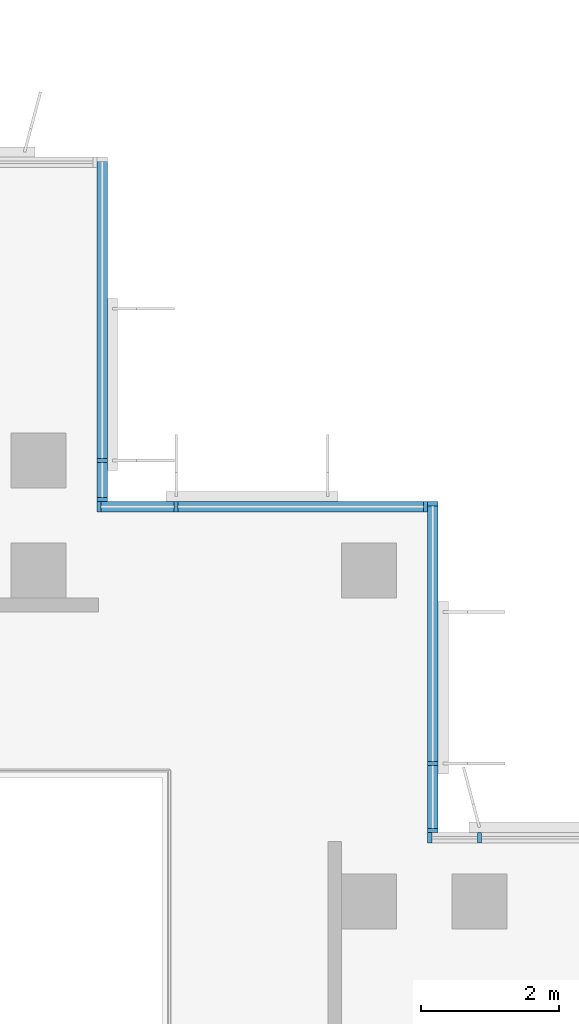
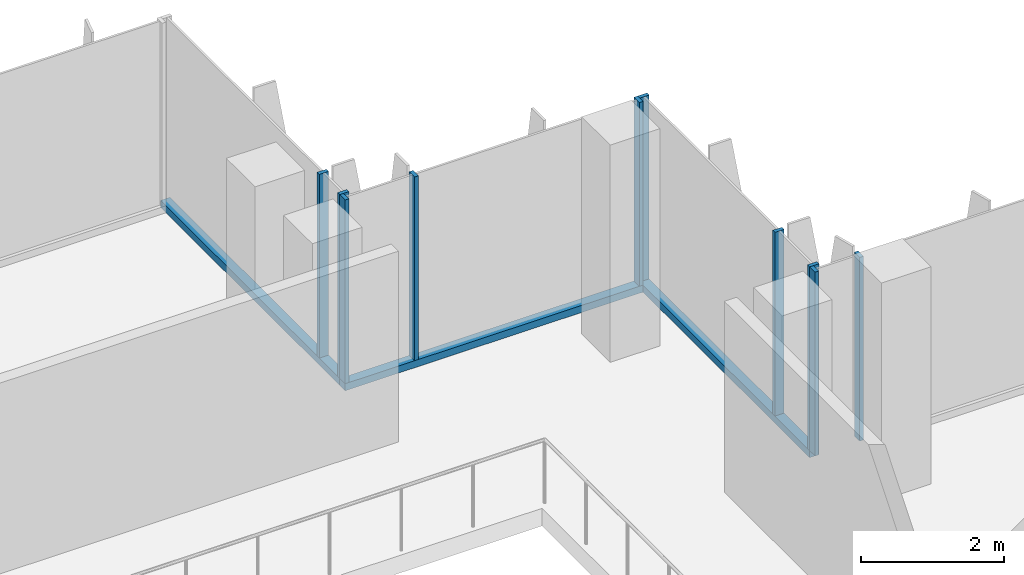
# One storey, part 2 of 13: 13 members, 4 elements without a shape of their own.
"""IFC4 building model written with IfcOpenShell, lengths in metres."""

from ifc_helpers import new_model, si_unit, direction, frame, origin, origin_2d, place, context, subcontext, project, spatial, rectangle, extrude, source, transform, mapped, material, material_profile, profile_set, type_object, element, aggregate, save


model = new_model("IFC4")

# Units and contexts
model_context = context("Model", 3, precision=1e-05, world=origin(), true_north=direction((0.0, 1.0)))
body_context = subcontext(model_context, "Body", "Model", "MODEL_VIEW")
ifc_project = project(units=[si_unit("LENGTHUNIT", "METRE"), si_unit("AREAUNIT", "SQUARE_METRE"), si_unit("VOLUMEUNIT", "CUBIC_METRE"), si_unit("PLANEANGLEUNIT", "RADIAN"), si_unit("MASSUNIT", "GRAM", prefix="KILO")], contexts=[model_context])

# Site, building, storey
site_placement = place(None, origin())
site = spatial("IfcSite", under=ifc_project, at=site_placement, CompositionType="ELEMENT")
building_placement = place(site_placement, origin())
building = spatial("IfcBuilding", under=site, at=building_placement, Name="Kemantara Hotel Tower", CompositionType="ELEMENT")
storey_placement = place(building_placement, frame((0.0, 0.0, 252.39990234375)))
storey = spatial("IfcBuildingStorey", under=building, at=storey_placement, Name="L63", CompositionType="ELEMENT", Elevation=252.39990234375)

# Curtain wall, member
ifc_material_1 = material(Name="Low-E tinted double insulated glass 36 mm", Category="glass")
curtain_wall_type = type_object("IfcCurtainWallType", Name="TOWER CURTAIN WALL, FRONT FACES", PredefinedType="USERDEFINED", material=ifc_material_1)
curtain_wall_1_placement = place(storey_placement, origin())
curtain_wall_1 = element("IfcCurtainWall", 1, at=curtain_wall_1_placement, inside=storey, type_object=curtain_wall_type, Name="CW4 L63 T4P-R00-1", ObjectType="TOWER CURTAIN WALL, FRONT FACES", PredefinedType="USERDEFINED")
ifc_material_2 = material(Name="Aluminium 6063-T6 bronze anodised", Category="aluminium")
ifc_material_profile_1 = material_profile(ifc_material_2, rectangle(XDim=0.14990234375, YDim=0.1201171875, at=origin_2d()), Name="TOWER CURTAIN WALL, FRONT FACES TRANSOM")
ifc_profile_set_1 = profile_set([ifc_material_profile_1], Name="Aluminium 6063-T6 bronze anodised")
member_type_1 = type_object("IfcMemberType", Name="TOWER CURTAIN WALL, FRONT FACES TRANSOM", PredefinedType="USERDEFINED", material=ifc_profile_set_1)
member_1_placement = place(storey_placement, frame((21.925048828125, 26.800048828125, 0.06005859375), z_axis=(0.0, 1.0, 0.0), x_axis=(-1.0, 0.0, 0.0)))
member_1 = element("IfcMember", 2, at=member_1_placement, type_object=member_type_1, Name="CW4 sill transom T4P-R00-1", ObjectType="TRANSOM", PredefinedType="USERDEFINED", context=body_context, shape_type="SweptSolid", body=[
    extrude(rectangle(XDim=0.14990234375, YDim=0.1201171875, at=origin_2d()), origin(), (0.0, 0.0, 1.0), 5.0),
])

curtain_wall_2_placement = place(storey_placement, origin())
curtain_wall_2 = element("IfcCurtainWall", 3, at=curtain_wall_2_placement, inside=storey, type_object=curtain_wall_type, Name="CW4 L63 T4P-R10-1", ObjectType="TOWER CURTAIN WALL, FRONT FACES", PredefinedType="USERDEFINED")
member_2_placement = place(storey_placement, frame((26.72509765625, 22.0, 0.06005859375), z_axis=(0.0, 1.0, 0.0), x_axis=(-1.0, 0.0, 0.0)))
member_2 = element("IfcMember", 4, at=member_2_placement, type_object=member_type_1, Name="CW4 sill transom T4P-R10-1", ObjectType="TRANSOM", PredefinedType="USERDEFINED", context=body_context, shape_type="SweptSolid", body=[
    extrude(rectangle(XDim=0.14990234375, YDim=0.1201171875, at=origin_2d()), origin(), (0.0, 0.0, 1.0), 4.800048828125),
])

curtain_wall_3_placement = place(storey_placement, origin())
curtain_wall_3 = element("IfcCurtainWall", 5, at=curtain_wall_3_placement, inside=storey, type_object=curtain_wall_type, Name="CW4 L63 T4P-R11-1", ObjectType="TOWER CURTAIN WALL, FRONT FACES", PredefinedType="USERDEFINED")
member_3_placement = place(storey_placement, frame((26.64990234375, 26.72509765625, 0.06005859375), z_axis=(-1.0, 0.0, 0.0), x_axis=(0.0, -1.0, 0.0)))
member_3 = element("IfcMember", 6, at=member_3_placement, type_object=member_type_1, Name="CW4 sill transom T4P-R11-1", ObjectType="TRANSOM", PredefinedType="USERDEFINED", context=body_context, shape_type="SweptSolid", body=[
    extrude(rectangle(XDim=0.14990234375, YDim=0.1201171875, at=origin_2d()), origin(), (0.0, 0.0, 1.0), 4.7998046875),
])

# Member
ifc_material_profile_2 = material_profile(ifc_material_2, rectangle(XDim=0.14990234375, YDim=0.06005859375, at=origin_2d()), Name="TOWER CURTAIN WALL, FRONT FACES MULLION")
ifc_profile_set_2 = profile_set([ifc_material_profile_2], Name="Aluminium 6063-T6 bronze anodised")
member_type_2 = type_object("IfcMemberType", Name="TOWER CURTAIN WALL, FRONT FACES MULLION", PredefinedType="MULLION", material=ifc_profile_set_2)
shared_shape = source(origin(), body_context, "Body", "SweptSolid", [
    extrude(rectangle(XDim=0.14990234375, YDim=0.06005859375, at=origin_2d()), origin(), (0.0, 0.0, 1.0), 3.1298828125),
])
member_4_placement = place(storey_placement, frame((21.925048828125, 26.830078125, 0.1201171875), z_axis=(0.0, 0.0, 1.0), x_axis=(-1.0, 0.0, 0.0)))
member_4 = element("IfcMember", 7, at=member_4_placement, type_object=member_type_2, Name="CW4 mullion T4P-R00-1.1", PredefinedType="MULLION", context=body_context, shape_type="MappedRepresentation", body=[
    mapped(shared_shape, transform((0.0, 0.0, 0.0))),
])

member_5_placement = place(storey_placement, frame((21.925048828125, 27.39990234375, 0.1201171875), z_axis=(0.0, 0.0, 1.0), x_axis=(-1.0, 0.0, 0.0)))
member_5 = element("IfcMember", 8, at=member_5_placement, type_object=member_type_2, Name="CW4 mullion T4P-R00-1.2", PredefinedType="MULLION", context=body_context, shape_type="MappedRepresentation", body=[
    mapped(shared_shape, transform((0.0, 0.0, 0.0))),
])

aggregate(curtain_wall_1, [member_1, member_4, member_5])

# Curtain wall, members
curtain_wall_4_placement = place(storey_placement, origin())
curtain_wall_4 = element("IfcCurtainWall", 9, at=curtain_wall_4_placement, inside=storey, type_object=curtain_wall_type, Name="CW4 L63 T4P-R09-1", ObjectType="TOWER CURTAIN WALL, FRONT FACES", PredefinedType="USERDEFINED")
member_6_placement = place(storey_placement, frame((27.39990234375, 21.925048828125, 0.1201171875), z_axis=(0.0, 0.0, 1.0), x_axis=(0.0, -1.0, 0.0)))
member_6 = element("IfcMember", 10, at=member_6_placement, type_object=member_type_2, Name="CW4 mullion T4P-R09-1.5", PredefinedType="MULLION", context=body_context, shape_type="MappedRepresentation", body=[
    mapped(shared_shape, transform((0.0, 0.0, 0.0))),
])
member_7_placement = place(storey_placement, frame((26.679931640625, 21.925048828125, 0.1201171875), z_axis=(0.0, 0.0, 1.0), x_axis=(0.0, -1.0, 0.0)))
member_7 = element("IfcMember", 11, at=member_7_placement, type_object=member_type_2, Name="CW4 mullion T4P-R09-1.6", PredefinedType="MULLION", context=body_context, shape_type="MappedRepresentation", body=[
    mapped(shared_shape, transform((0.0, 0.0, 0.0))),
])
aggregate(curtain_wall_4, [member_6, member_7])

# Member
member_8_placement = place(storey_placement, frame((26.72509765625, 22.030029296875, 0.1201171875), z_axis=(0.0, 0.0, 1.0), x_axis=(-1.0, 0.0, 0.0)))
member_8 = element("IfcMember", 12, at=member_8_placement, type_object=member_type_2, Name="CW4 mullion T4P-R10-1.1", PredefinedType="MULLION", context=body_context, shape_type="MappedRepresentation", body=[
    mapped(shared_shape, transform((0.0, 0.0, 0.0))),
])

member_9_placement = place(storey_placement, frame((26.72509765625, 23.0, 0.1201171875), z_axis=(0.0, 0.0, 1.0), x_axis=(-1.0, 0.0, 0.0)))
member_9 = element("IfcMember", 13, at=member_9_placement, type_object=member_type_2, Name="CW4 mullion T4P-R10-1.2", PredefinedType="MULLION", context=body_context, shape_type="MappedRepresentation", body=[
    mapped(shared_shape, transform((0.0, 0.0, 0.0))),
])

member_10_placement = place(storey_placement, frame((26.72509765625, 26.77001953125, 0.1201171875), z_axis=(0.0, 0.0, 1.0), x_axis=(-1.0, 0.0, 0.0)))
member_10 = element("IfcMember", 14, at=member_10_placement, type_object=member_type_2, Name="CW4 mullion T4P-R10-1.3", PredefinedType="MULLION", context=body_context, shape_type="MappedRepresentation", body=[
    mapped(shared_shape, transform((0.0, 0.0, 0.0))),
])

aggregate(curtain_wall_2, [member_2, member_8, member_9, member_10])

member_11_placement = place(storey_placement, frame((26.6201171875, 26.72509765625, 0.1201171875), z_axis=(0.0, 0.0, 1.0), x_axis=(0.0, -1.0, 0.0)))
member_11 = element("IfcMember", 15, at=member_11_placement, type_object=member_type_2, Name="CW4 mullion T4P-R11-1.1", PredefinedType="MULLION", context=body_context, shape_type="MappedRepresentation", body=[
    mapped(shared_shape, transform((0.0, 0.0, 0.0))),
])

member_12_placement = place(storey_placement, frame((23.0, 26.72509765625, 0.1201171875), z_axis=(0.0, 0.0, 1.0), x_axis=(0.0, -1.0, 0.0)))
member_12 = element("IfcMember", 16, at=member_12_placement, type_object=member_type_2, Name="CW4 mullion T4P-R11-1.2", PredefinedType="MULLION", context=body_context, shape_type="MappedRepresentation", body=[
    mapped(shared_shape, transform((0.0, 0.0, 0.0))),
])

member_13_placement = place(storey_placement, frame((21.8798828125, 26.72509765625, 0.1201171875), z_axis=(0.0, 0.0, 1.0), x_axis=(0.0, -1.0, 0.0)))
member_13 = element("IfcMember", 17, at=member_13_placement, type_object=member_type_2, Name="CW4 mullion T4P-R11-1.3", PredefinedType="MULLION", context=body_context, shape_type="MappedRepresentation", body=[
    mapped(shared_shape, transform((0.0, 0.0, 0.0))),
])

aggregate(curtain_wall_3, [member_3, member_11, member_12, member_13])

save(model, "model.ifc")
